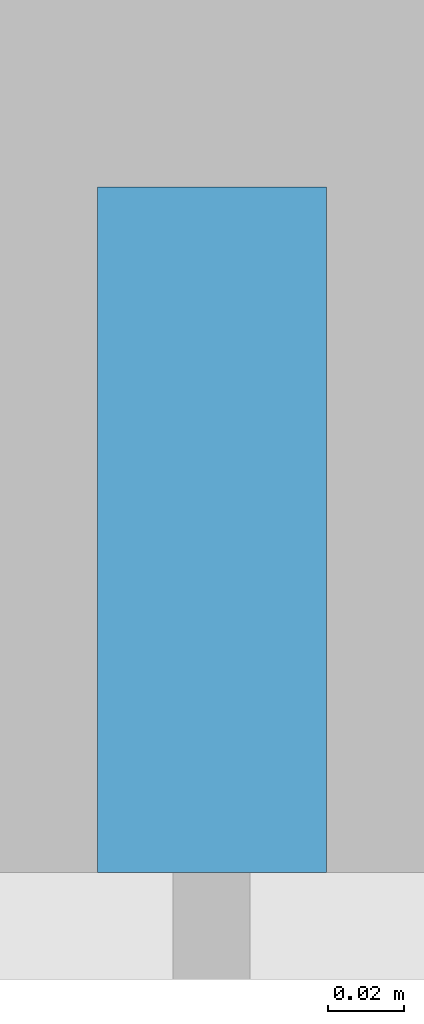
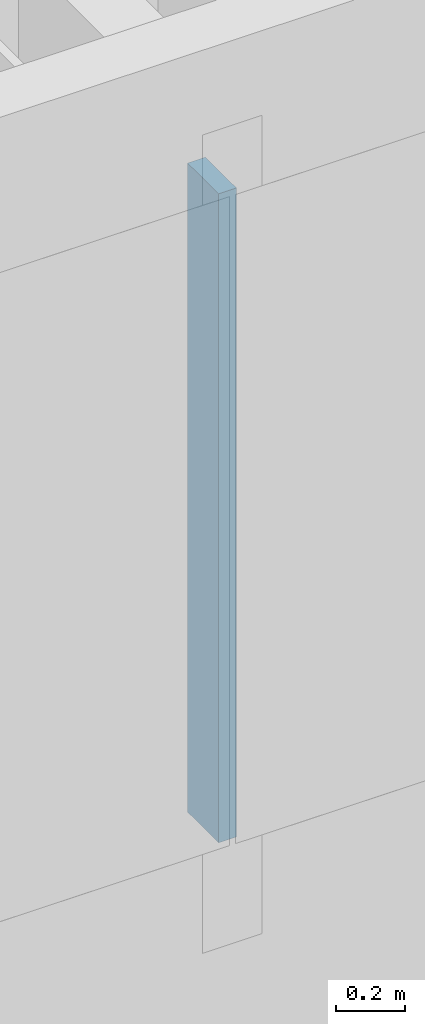
# One storey, part 4 of 29: 1 member, 1 element without a shape of its own.
"""IFC4 building model written with IfcOpenShell, lengths in metres."""

from ifc_helpers import new_model, si_unit, direction, frame, origin, origin_2d, place, context, subcontext, project, spatial, rectangle, extrude, material, layer, layer_set, material_profile, profile_set, type_object, element, aggregate, save


model = new_model("IFC4")

# Units and contexts
model_context = context("Model", 3, precision=1e-05, world=origin(), true_north=direction((0.0, 1.0)))
body_context = subcontext(model_context, "Body", "Model", "MODEL_VIEW")
ifc_project = project(units=[si_unit("LENGTHUNIT", "METRE"), si_unit("AREAUNIT", "SQUARE_METRE"), si_unit("VOLUMEUNIT", "CUBIC_METRE"), si_unit("PLANEANGLEUNIT", "RADIAN"), si_unit("MASSUNIT", "GRAM", prefix="KILO")], contexts=[model_context])

# Site, building, storey
site_placement = place(None, origin())
site = spatial("IfcSite", under=ifc_project, at=site_placement, CompositionType="ELEMENT")
building_placement = place(site_placement, origin())
building = spatial("IfcBuilding", under=site, at=building_placement, Name="Hakoniwa Tower and Hamabe Station Hall", CompositionType="ELEMENT")
storey_placement = place(building_placement, frame((0.0, 0.0, 117.0)))
storey = spatial("IfcBuildingStorey", under=building, at=storey_placement, Name="L33", CompositionType="ELEMENT", Elevation=117.0)

# Curtain wall, member
ifc_material_1 = material(Name="Dark low-e laminated glass", Category="glass")
ifc_layer = layer(ifc_material_1, 0.199951171875)
ifc_layer_set = layer_set([ifc_layer], Name="CW-1 UNITISED GUEST")
curtain_wall_type = type_object("IfcCurtainWallType", Name="CW-1 UNITISED GUEST", PredefinedType="NOTDEFINED", material=ifc_layer_set)
curtain_wall_placement = place(storey_placement, origin())
curtain_wall = element("IfcCurtainWall", 1, at=curtain_wall_placement, inside=storey, type_object=curtain_wall_type, Name="CW-1 curtain wall", PredefinedType="NOTDEFINED")
ifc_material_2 = material(Name="Aluminium 6063-T5 black anodised", Category="aluminium")
ifc_material_profile = material_profile(ifc_material_2, rectangle(XDim=0.06005859375, YDim=0.179931640625, at=origin_2d()), Name="CW-1 MULLION 60X180")
ifc_profile_set = profile_set([ifc_material_profile], Name="Aluminium 6063-T5 black anodised")
member_type = type_object("IfcMemberType", Name="CW-1 MULLION 60X180", PredefinedType="MULLION", material=ifc_profile_set)
member_placement = place(storey_placement, frame((-8.39990234375, -15.431884765625, 0.35009765625), z_axis=(0.0, 0.0, 1.0), x_axis=(1.0, 0.0, 0.0)))
member = element("IfcMember", 2, at=member_placement, type_object=member_type, Name="CW-1 mullion", PredefinedType="MULLION", context=body_context, shape_type="SweptSolid", body=[
    extrude(rectangle(XDim=0.06005859375, YDim=0.179931640625, at=origin_2d()), origin(), (0.0, 0.0, 1.0), 2.2998046875),
])
aggregate(curtain_wall, [member])

save(model, "model.ifc")
